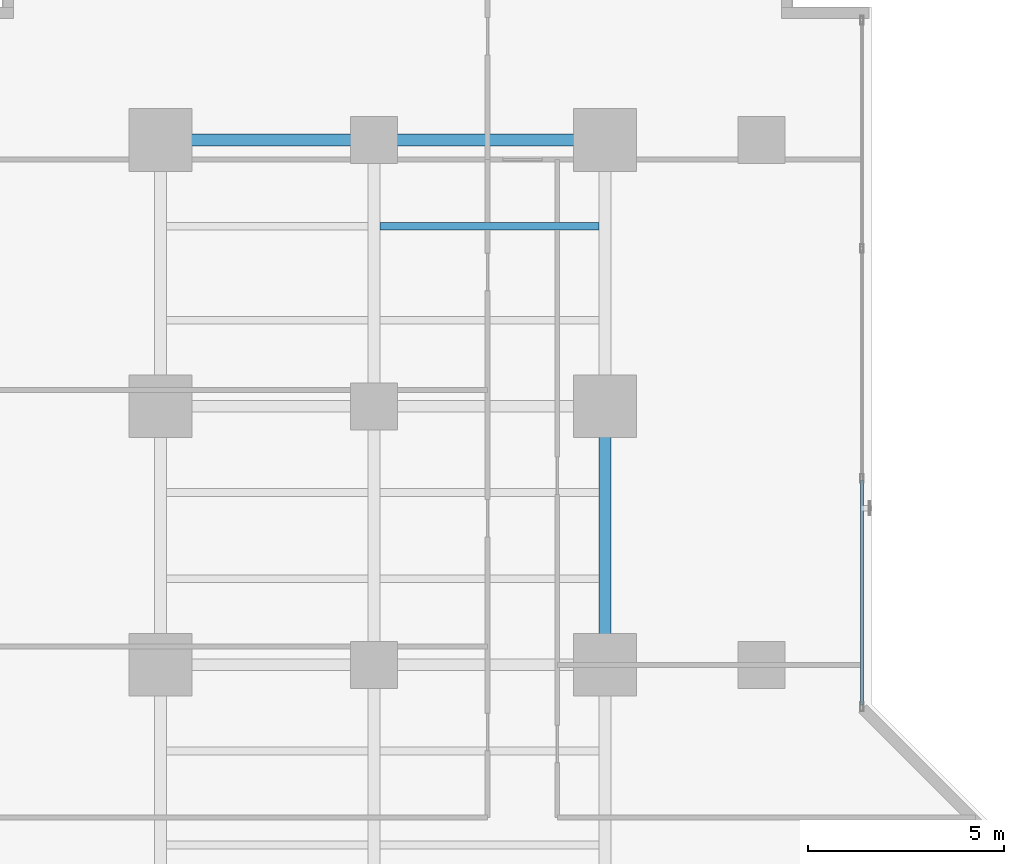
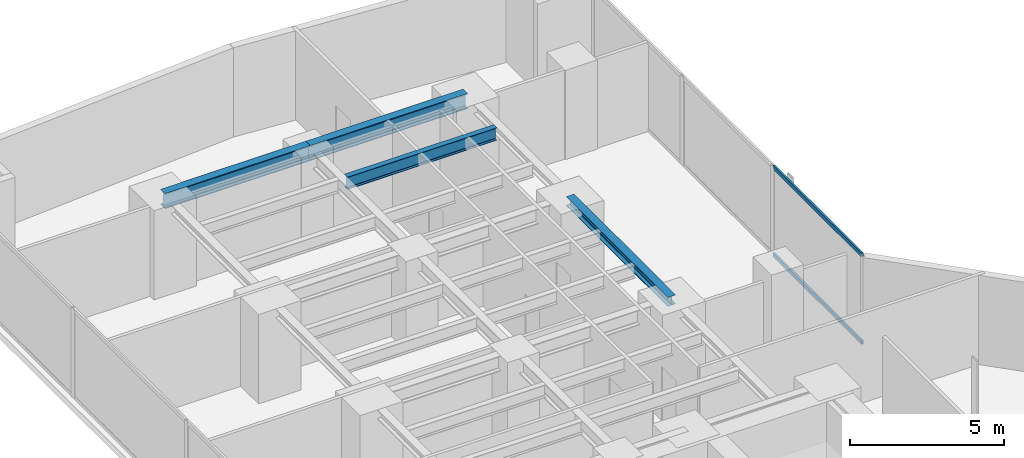
# One storey, part 18 of 27: 4 beams, 2 members, 1 element without a shape of its own.
"""IFC4 building model written with IfcOpenShell, lengths in metres."""

from ifc_helpers import new_model, si_unit, direction, frame, origin, origin_with_axes, origin_2d, place, context, subcontext, project, spatial, hollow_rectangle, i_section, extrude, source, transform, mapped, material, layer, layer_set, material_profile, profile_set, type_object, element, aggregate, save


model = new_model("IFC4")

# Units and contexts
model_context = context("Model", 3, precision=1e-05, world=origin(), true_north=direction((0.0, 1.0)))
body_context = subcontext(model_context, "Body", "Model", "MODEL_VIEW")
ifc_project = project(units=[si_unit("LENGTHUNIT", "METRE"), si_unit("AREAUNIT", "SQUARE_METRE"), si_unit("VOLUMEUNIT", "CUBIC_METRE"), si_unit("PLANEANGLEUNIT", "RADIAN"), si_unit("MASSUNIT", "GRAM", prefix="KILO")], contexts=[model_context])

# Site, building, storey
site_placement = place(None, origin())
site = spatial("IfcSite", under=ifc_project, at=site_placement, CompositionType="ELEMENT")
building_placement = place(site_placement, origin())
building = spatial("IfcBuilding", under=site, at=building_placement, Name="Kolvaren Waterfront Exchange", CompositionType="ELEMENT")
storey_placement = place(building_placement, frame((0.0, 0.0, 63.800048828125)))
storey = spatial("IfcBuildingStorey", under=building, at=storey_placement, Name="L16", CompositionType="ELEMENT", Elevation=63.800048828125)

# Beams
ifc_material_1 = material(Name="Steel S355", Category="steel")
ifc_material_profile_1 = material_profile(ifc_material_1, i_section(OverallWidth=0.300048828125, OverallDepth=0.360107421875, WebThickness=0.012451171875, FlangeThickness=0.0224609375, FilletRadius=0.027099609375, at=origin_2d()), Name="HEB360")
ifc_profile_set_1 = profile_set([ifc_material_profile_1], Name="Steel S355")
beam_type_1 = type_object("IfcBeamType", Name="STR-BM-HEB360", PredefinedType="SPANDREL", material=ifc_profile_set_1)
beam_1_placement = place(storey_placement, frame((18.800048828125, 31.199951171875, 3.35986328125), z_axis=(0.0, 1.0, 0.0), x_axis=(-1.0, 0.0, 0.0)))
element("IfcBeam", 1, at=beam_1_placement, inside=storey, type_object=beam_type_1, Name="L16 north-arm edge beam 2", PredefinedType="SPANDREL", context=body_context, shape_type="SweptSolid", body=[
    extrude(i_section(OverallWidth=0.300048828125, OverallDepth=0.360107421875, WebThickness=0.012451171875, FlangeThickness=0.0224609375, FilletRadius=0.027099609375, at=origin_2d()), origin(), (0.0, 0.0, 1.0), 6.60009765625),
])
ifc_material_profile_2 = material_profile(ifc_material_1, i_section(OverallWidth=0.300048828125, OverallDepth=0.60009765625, WebThickness=0.015380859375, FlangeThickness=0.030029296875, FilletRadius=0.027099609375, at=origin_2d()), Name="HEB600")
ifc_profile_set_2 = profile_set([ifc_material_profile_2], Name="Steel S355")
beam_type_2 = type_object("IfcBeamType", Name="STR-BM-HEB600", PredefinedType="BEAM", material=ifc_profile_set_2)
beam_2_placement = place(storey_placement, frame((7.449951171875, 44.60009765625, 3.239990234375), z_axis=(1.0, 0.0, 0.0), x_axis=(0.0, 1.0, 0.0)))
element("IfcBeam", 2, at=beam_2_placement, inside=storey, type_object=beam_type_2, Name="L16 north-arm girder 4A", PredefinedType="BEAM", context=body_context, shape_type="SweptSolid", body=[
    extrude(i_section(OverallWidth=0.300048828125, OverallDepth=0.60009765625, WebThickness=0.015380859375, FlangeThickness=0.030029296875, FilletRadius=0.027099609375, at=origin_2d()), origin(), (0.0, 0.0, 1.0), 5.449951171875),
])
beam_3_placement = place(storey_placement, frame((12.89990234375, 44.60009765625, 3.239990234375), z_axis=(1.0, 0.0, 0.0), x_axis=(0.0, 1.0, 0.0)))
element("IfcBeam", 3, at=beam_3_placement, inside=storey, type_object=beam_type_2, Name="L16 north-arm girder 4B", PredefinedType="BEAM", context=body_context, shape_type="SweptSolid", body=[
    extrude(i_section(OverallWidth=0.300048828125, OverallDepth=0.60009765625, WebThickness=0.015380859375, FlangeThickness=0.030029296875, FilletRadius=0.027099609375, at=origin_2d()), origin(), (0.0, 0.0, 1.0), 5.900146484375),
])
ifc_material_profile_3 = material_profile(ifc_material_1, i_section(OverallWidth=0.199951171875, OverallDepth=0.5, WebThickness=0.01025390625, FlangeThickness=0.01611328125, FilletRadius=0.02099609375, at=origin_2d()), Name="IPE500")
ifc_profile_set_3 = profile_set([ifc_material_profile_3], Name="Steel S355")
beam_type_3 = type_object("IfcBeamType", Name="STR-BM-IPE500", PredefinedType="JOIST", material=ifc_profile_set_3)
beam_4_placement = place(storey_placement, frame((13.052001953125, 42.39990234375, 3.2900390625), z_axis=(1.0, 0.0, 0.0), x_axis=(0.0, 1.0, 0.0)))
element("IfcBeam", 4, at=beam_4_placement, inside=storey, type_object=beam_type_3, Name="L16 north-arm composite joist 6B", PredefinedType="JOIST", context=body_context, shape_type="SweptSolid", body=[
    extrude(i_section(OverallWidth=0.199951171875, OverallDepth=0.5, WebThickness=0.01025390625, FlangeThickness=0.01611328125, FilletRadius=0.02099609375, at=origin_2d()), origin(), (0.0, 0.0, 1.0), 5.595947265625),
])

# Curtain wall, members
ifc_material_2 = material(Name="Anodised bronze aluminium 6063-T6", Category="aluminium")
ifc_layer = layer(ifc_material_2, 0.219970703125, Name="Anodised bronze aluminium 6063-T6")
ifc_layer_set = layer_set([ifc_layer], Name="Anodised bronze aluminium 6063-T6")
curtain_wall_type = type_object("IfcCurtainWallType", Name="ARC-CW-SYS1", PredefinedType="USERDEFINED", material=ifc_layer_set)
curtain_wall_placement = place(storey_placement, origin())
curtain_wall = element("IfcCurtainWall", 5, at=curtain_wall_placement, inside=storey, type_object=curtain_wall_type, Name="L16 stick curtain wall CW1 (CW-L16-NE)", ObjectType="STICK CURTAIN WALL", PredefinedType="USERDEFINED")
ifc_material_3 = material(Name="Anodised aluminium 6063-T6", Category="aluminium")
ifc_material_profile_4 = material_profile(ifc_material_3, hollow_rectangle(XDim=0.074951171875, YDim=0.159912109375, WallThickness=0.00439453125, at=origin_2d()), Name="ALU-TRN-160x75x4.5")
ifc_profile_set_4 = profile_set([ifc_material_profile_4], Name="Anodised aluminium 6063-T6")
member_type = type_object("IfcMemberType", Name="ARC-CWT-160", PredefinedType="USERDEFINED", material=ifc_profile_set_4)
shared_shape = source(origin_with_axes(), body_context, "Body", "SweptSolid", [
    extrude(hollow_rectangle(XDim=0.074951171875, YDim=0.159912109375, WallThickness=0.00439453125, at=origin_2d()), origin(), (0.0, 0.0, 1.0), 5.75),
])
member_1_placement = place(storey_placement, frame((25.360107421875, 30.169921875, 0.037353515625), z_axis=(0.0, 1.0, 0.0), x_axis=(-1.0, 0.0, 0.0)))
member_1 = element("IfcMember", 6, at=member_1_placement, type_object=member_type, Name="CW1 transom 1.1", ObjectType="TRANSOM", PredefinedType="USERDEFINED", context=body_context, shape_type="MappedRepresentation", body=[
    mapped(shared_shape, transform((0.0, 0.0, 0.0), x_axis=(1.0, 0.0, 0.0), y_axis=(0.0, 1.0, 0.0), z_axis=(0.0, 0.0, 1.0), scale=1.0)),
])
member_2_placement = place(storey_placement, frame((25.360107421875, 30.169921875, 3.50244140625), z_axis=(0.0, 1.0, 0.0), x_axis=(-1.0, 0.0, 0.0)))
member_2 = element("IfcMember", 7, at=member_2_placement, type_object=member_type, Name="CW1 transom 1.2", ObjectType="TRANSOM", PredefinedType="USERDEFINED", context=body_context, shape_type="MappedRepresentation", body=[
    mapped(shared_shape, transform((0.0, 0.0, 0.0), x_axis=(1.0, 0.0, 0.0), y_axis=(0.0, 1.0, 0.0), z_axis=(0.0, 0.0, 1.0), scale=1.0)),
])
aggregate(curtain_wall, [member_1, member_2])

save(model, "model.ifc")
